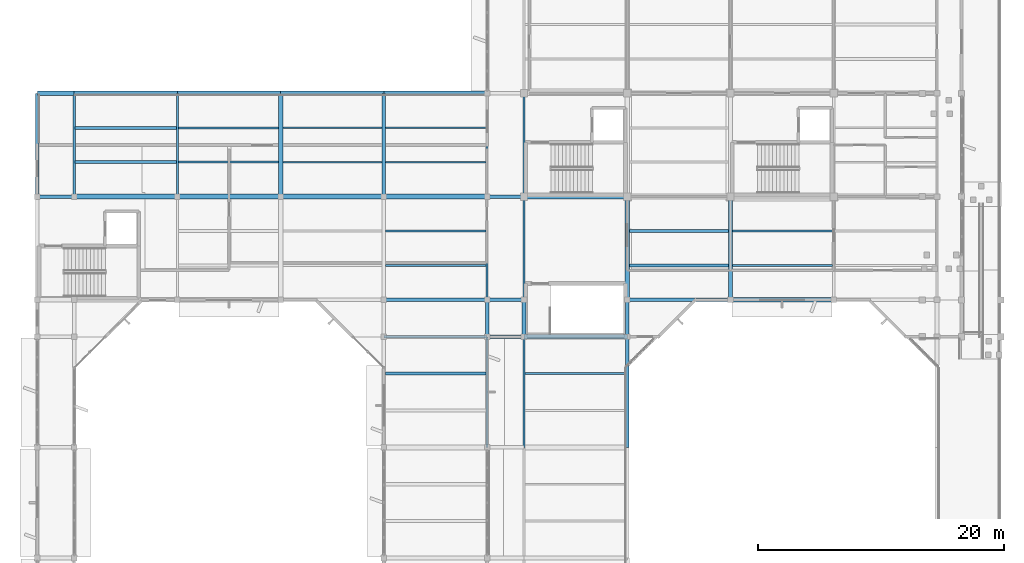
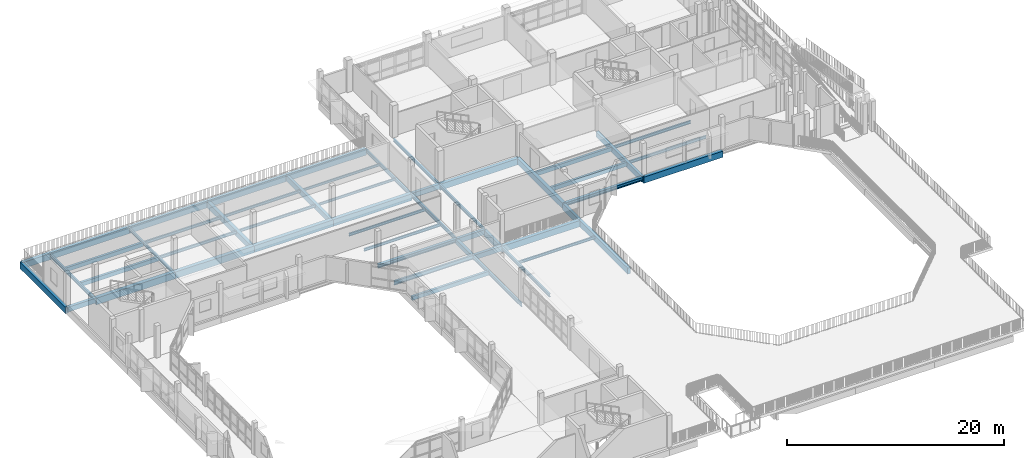
# One storey, part 11 of 42: 52 beams.
"""IFC4 building model written with IfcOpenShell, lengths in metres."""

from ifc_helpers import new_model, si_unit, direction, frame, origin, origin_2d, place, context, subcontext, project, spatial, rectangle, i_section, extrude, material, material_profile, profile_set, type_object, element, save


model = new_model("IFC4")

# Units and contexts
model_context = context("Model", 3, precision=1e-05, world=origin(), true_north=direction((0.0, 1.0)))
body_context = subcontext(model_context, "Body", "Model", "MODEL_VIEW")
ifc_project = project(units=[si_unit("LENGTHUNIT", "METRE"), si_unit("AREAUNIT", "SQUARE_METRE"), si_unit("VOLUMEUNIT", "CUBIC_METRE"), si_unit("PLANEANGLEUNIT", "RADIAN"), si_unit("MASSUNIT", "GRAM", prefix="KILO")], contexts=[model_context])

# Site, building, storey
site_placement = place(None, origin())
site = spatial("IfcSite", under=ifc_project, at=site_placement, CompositionType="ELEMENT")
building_placement = place(site_placement, origin())
building = spatial("IfcBuilding", under=site, at=building_placement, Name="Vanh Quang Courtyard School", CompositionType="ELEMENT")
storey_placement = place(building_placement, frame((0.0, 0.0, 15.0)))
storey = spatial("IfcBuildingStorey", under=building, at=storey_placement, Name="L04", CompositionType="ELEMENT", Elevation=15.0)

# Beams
ifc_material_1 = material(Name="Concrete C35/45", Category="concrete")
ifc_material_profile_1 = material_profile(ifc_material_1, rectangle(XDim=0.300048828125, YDim=0.550048828125, at=origin_2d()), Name="RC-BM 300x550")
ifc_profile_set_1 = profile_set([ifc_material_profile_1], Name="Concrete C35/45")
beam_type_1 = type_object("IfcBeamType", Name="BM-RC-300x550", PredefinedType="BEAM", material=ifc_profile_set_1)
for number, where, z_axis, x_axis, name in (
    (1, (74.39990234375, 68.39990234375, -0.594970703125), (1.0, 0.0, 0.0), (0.0, 1.0, 0.0), "Beam B-07 (L04)"),
    (2, (74.39990234375, 71.39990234375, -0.534912109375), (1.0, 0.0, 0.0), (0.0, 1.0, 0.0), "Beam B-07 (L04)"),
    (3, (37.800048828125, 79.800048828125, -0.534912109375), (1.0, 0.0, 0.0), (0.0, 1.0, 0.0), "Beam B-07 (L04)"),
    (4, (74.39990234375, 79.800048828125, -0.534912109375), (1.0, 0.0, 0.0), (0.0, 1.0, 0.0), "Beam B-07 (L04)"),
    (5, (74.39990234375, 68.39990234375, -0.594970703125), (0.0, 1.0, 0.0), (-1.0, 0.0, 0.0), "Beam B-07 (L04)"),
):
    element("IfcBeam", number, at=place(storey_placement, frame(where, z_axis=z_axis, x_axis=x_axis)), inside=storey, type_object=beam_type_1, Name=name, PredefinedType="BEAM", context=body_context, shape_type="SweptSolid", body=[
        extrude(rectangle(XDim=0.300048828125, YDim=0.550048828125, at=origin_2d()), origin(), (0.0, 0.0, 1.0), 3.0),
    ])
ifc_material_profile_2 = material_profile(ifc_material_1, rectangle(XDim=0.300048828125, YDim=0.60009765625, at=origin_2d()), Name="RC-BM 300x600")
ifc_profile_set_2 = profile_set([ifc_material_profile_2], Name="Concrete C35/45")
beam_type_2 = type_object("IfcBeamType", Name="BM-RC-300x600", PredefinedType="BEAM", material=ifc_profile_set_2)
beam_1_placement = place(storey_placement, frame((66.0, 79.800048828125, -0.6201171875), z_axis=(0.0, 1.0, 0.0), x_axis=(-1.0, 0.0, 0.0)))
element("IfcBeam", 6, at=beam_1_placement, inside=storey, type_object=beam_type_2, Name="Beam B-06 (L04)", PredefinedType="BEAM", context=body_context, shape_type="SweptSolid", body=[
    extrude(rectangle(XDim=0.300048828125, YDim=0.60009765625, at=origin_2d()), origin(), (0.0, 0.0, 1.0), 8.39990234375),
])
beam_2_placement = place(storey_placement, frame((94.199951171875, 71.39990234375, -0.56005859375), z_axis=(0.0, 1.0, 0.0), x_axis=(-1.0, 0.0, 0.0)))
element("IfcBeam", 7, at=beam_2_placement, inside=storey, type_object=beam_type_2, Name="Beam B-06 (L04)", PredefinedType="BEAM", context=body_context, shape_type="SweptSolid", body=[
    extrude(rectangle(XDim=0.300048828125, YDim=0.60009765625, at=origin_2d()), origin(), (0.0, 0.0, 1.0), 8.400146484375),
])
ifc_material_profile_3 = material_profile(ifc_material_1, rectangle(XDim=0.35009765625, YDim=0.64990234375, at=origin_2d()), Name="RC-BM 350x650")
ifc_profile_set_3 = profile_set([ifc_material_profile_3], Name="Concrete C35/45")
beam_type_3 = type_object("IfcBeamType", Name="BM-RC-350x650", PredefinedType="BEAM", material=ifc_profile_set_3)
beam_3_placement = place(storey_placement, frame((57.60009765625, 79.800048828125, -0.64501953125), z_axis=(0.0, 1.0, 0.0), x_axis=(-1.0, 0.0, 0.0)))
element("IfcBeam", 8, at=beam_3_placement, inside=storey, type_object=beam_type_3, Name="Beam B-05 (L04)", PredefinedType="BEAM", context=body_context, shape_type="SweptSolid", body=[
    extrude(rectangle(XDim=0.35009765625, YDim=0.64990234375, at=origin_2d()), origin(), (0.0, 0.0, 1.0), 8.39990234375),
])
beam_4_placement = place(storey_placement, frame((85.800048828125, 71.39990234375, -0.5849609375), z_axis=(0.0, 1.0, 0.0), x_axis=(-1.0, 0.0, 0.0)))
element("IfcBeam", 9, at=beam_4_placement, inside=storey, type_object=beam_type_3, Name="Beam B-05 (L04)", PredefinedType="BEAM", context=body_context, shape_type="SweptSolid", body=[
    extrude(rectangle(XDim=0.35009765625, YDim=0.64990234375, at=origin_2d()), origin(), (0.0, 0.0, 1.0), 8.400146484375),
])
ifc_material_profile_4 = material_profile(ifc_material_1, rectangle(XDim=0.35009765625, YDim=0.699951171875, at=origin_2d()), Name="RC-BM 350x700")
ifc_profile_set_4 = profile_set([ifc_material_profile_4], Name="Concrete C35/45")
beam_type_4 = type_object("IfcBeamType", Name="BM-RC-350x700", PredefinedType="BEAM", material=ifc_profile_set_4)
for number, where, z_axis, x_axis, name in (
    (10, (77.39990234375, 68.39990234375, -0.669921875), (1.0, 0.0, 0.0), (0.0, 1.0, 0.0), "Beam B-04 (L04)"),
    (11, (94.199951171875, 71.39990234375, -0.610107421875), (1.0, 0.0, 0.0), (0.0, 1.0, 0.0), "Beam B-04 (L04)"),
    (12, (77.39990234375, 79.800048828125, -0.610107421875), (1.0, 0.0, 0.0), (0.0, 1.0, 0.0), "Beam B-04 (L04)"),
):
    element("IfcBeam", number, at=place(storey_placement, frame(where, z_axis=z_axis, x_axis=x_axis)), inside=storey, type_object=beam_type_4, Name=name, PredefinedType="BEAM", context=body_context, shape_type="SweptSolid", body=[
        extrude(rectangle(XDim=0.35009765625, YDim=0.699951171875, at=origin_2d()), origin(), (0.0, 0.0, 1.0), 8.400146484375),
    ])
beam_5_placement = place(storey_placement, frame((37.800048828125, 88.199951171875, -0.669921875), z_axis=(1.0, 0.0, 0.0), x_axis=(0.0, 1.0, 0.0)))
element("IfcBeam", 13, at=beam_5_placement, inside=storey, type_object=beam_type_4, Name="Beam B-04 (L04)", PredefinedType="BEAM", context=body_context, shape_type="SweptSolid", body=[
    extrude(rectangle(XDim=0.35009765625, YDim=0.699951171875, at=origin_2d()), origin(), (0.0, 0.0, 1.0), 3.0),
])
beam_6_placement = place(storey_placement, frame((40.800048828125, 88.199951171875, -0.669921875), z_axis=(1.0, 0.0, 0.0), x_axis=(0.0, 1.0, 0.0)))
element("IfcBeam", 14, at=beam_6_placement, inside=storey, type_object=beam_type_4, Name="Beam B-04 (L04)", PredefinedType="BEAM", context=body_context, shape_type="SweptSolid", body=[
    extrude(rectangle(XDim=0.35009765625, YDim=0.699951171875, at=origin_2d()), origin(), (0.0, 0.0, 1.0), 8.39990234375),
])
beam_7_placement = place(storey_placement, frame((49.199951171875, 88.199951171875, -0.669921875), z_axis=(1.0, 0.0, 0.0), x_axis=(0.0, 1.0, 0.0)))
element("IfcBeam", 15, at=beam_7_placement, inside=storey, type_object=beam_type_4, Name="Beam B-04 (L04)", PredefinedType="BEAM", context=body_context, shape_type="SweptSolid", body=[
    extrude(rectangle(XDim=0.35009765625, YDim=0.699951171875, at=origin_2d()), origin(), (0.0, 0.0, 1.0), 8.400146484375),
])
for number, where, z_axis, x_axis, name in (
    (16, (57.60009765625, 88.199951171875, -0.669921875), (1.0, 0.0, 0.0), (0.0, 1.0, 0.0), "Beam B-04 (L04)"),
    (17, (66.0, 88.199951171875, -0.669921875), (1.0, 0.0, 0.0), (0.0, 1.0, 0.0), "Beam B-04 (L04)"),
):
    element("IfcBeam", number, at=place(storey_placement, frame(where, z_axis=z_axis, x_axis=x_axis)), inside=storey, type_object=beam_type_4, Name=name, PredefinedType="BEAM", context=body_context, shape_type="SweptSolid", body=[
        extrude(rectangle(XDim=0.35009765625, YDim=0.699951171875, at=origin_2d()), origin(), (0.0, 0.0, 1.0), 8.39990234375),
    ])
ifc_material_profile_5 = material_profile(ifc_material_1, rectangle(XDim=0.39990234375, YDim=0.75, at=origin_2d()), Name="RC-BM 400x750")
ifc_profile_set_5 = profile_set([ifc_material_profile_5], Name="Concrete C35/45")
beam_type_5 = type_object("IfcBeamType", Name="BM-RC-400x750", PredefinedType="BEAM", material=ifc_profile_set_5)
beam_8_placement = place(storey_placement, frame((40.800048828125, 79.800048828125, -0.635009765625), z_axis=(1.0, 0.0, 0.0), x_axis=(0.0, 1.0, 0.0)))
element("IfcBeam", 18, at=beam_8_placement, inside=storey, type_object=beam_type_5, Name="Beam B-03 (L04)", PredefinedType="BEAM", context=body_context, shape_type="SweptSolid", body=[
    extrude(rectangle(XDim=0.39990234375, YDim=0.75, at=origin_2d()), origin(), (0.0, 0.0, 1.0), 8.39990234375),
])
beam_9_placement = place(storey_placement, frame((49.199951171875, 79.800048828125, -0.635009765625), z_axis=(1.0, 0.0, 0.0), x_axis=(0.0, 1.0, 0.0)))
element("IfcBeam", 19, at=beam_9_placement, inside=storey, type_object=beam_type_5, Name="Beam B-03 (L04)", PredefinedType="BEAM", context=body_context, shape_type="SweptSolid", body=[
    extrude(rectangle(XDim=0.39990234375, YDim=0.75, at=origin_2d()), origin(), (0.0, 0.0, 1.0), 8.400146484375),
])
for number, where, z_axis, x_axis, name in (
    (20, (57.60009765625, 79.800048828125, -0.635009765625), (1.0, 0.0, 0.0), (0.0, 1.0, 0.0), "Beam B-03 (L04)"),
    (21, (66.0, 79.800048828125, -0.635009765625), (1.0, 0.0, 0.0), (0.0, 1.0, 0.0), "Beam B-03 (L04)"),
):
    element("IfcBeam", number, at=place(storey_placement, frame(where, z_axis=z_axis, x_axis=x_axis)), inside=storey, type_object=beam_type_5, Name=name, PredefinedType="BEAM", context=body_context, shape_type="SweptSolid", body=[
        extrude(rectangle(XDim=0.39990234375, YDim=0.75, at=origin_2d()), origin(), (0.0, 0.0, 1.0), 8.39990234375),
    ])
ifc_material_profile_6 = material_profile(ifc_material_1, rectangle(XDim=0.300048828125, YDim=0.699951171875, at=origin_2d()), Name="RC-SP 300x700")
ifc_profile_set_6 = profile_set([ifc_material_profile_6], Name="Concrete C35/45")
beam_type_6 = type_object("IfcBeamType", Name="BM-SP-300x700", PredefinedType="SPANDREL", material=ifc_profile_set_6)
beam_10_placement = place(storey_placement, frame((37.800048828125, 79.800048828125, -0.669921875), z_axis=(0.0, 1.0, 0.0), x_axis=(-1.0, 0.0, 0.0)))
element("IfcBeam", 22, at=beam_10_placement, inside=storey, type_object=beam_type_6, Name="Beam BS-01 (L04)", PredefinedType="SPANDREL", context=body_context, shape_type="SweptSolid", body=[
    extrude(rectangle(XDim=0.300048828125, YDim=0.699951171875, at=origin_2d()), origin(), (0.0, 0.0, 1.0), 8.39990234375),
])
beam_11_placement = place(storey_placement, frame((77.39990234375, 68.39990234375, -0.669921875), z_axis=(0.0, 1.0, 0.0), x_axis=(-1.0, 0.0, 0.0)))
element("IfcBeam", 23, at=beam_11_placement, inside=storey, type_object=beam_type_6, Name="Beam BS-01 (L04)", PredefinedType="SPANDREL", context=body_context, shape_type="SweptSolid", body=[
    extrude(rectangle(XDim=0.300048828125, YDim=0.699951171875, at=origin_2d()), origin(), (0.0, 0.0, 1.0), 3.0),
])
beam_12_placement = place(storey_placement, frame((85.800048828125, 59.39990234375, -0.669921875), z_axis=(0.0, 1.0, 0.0), x_axis=(-1.0, 0.0, 0.0)))
element("IfcBeam", 24, at=beam_12_placement, inside=storey, type_object=beam_type_6, Name="Beam BS-01 (L04)", PredefinedType="SPANDREL", context=body_context, shape_type="SweptSolid", body=[
    extrude(rectangle(XDim=0.300048828125, YDim=0.699951171875, at=origin_2d()), origin(), (0.0, 0.0, 1.0), 9.0),
])
beam_13_placement = place(storey_placement, frame((85.800048828125, 68.39990234375, -0.669921875), z_axis=(0.0, 1.0, 0.0), x_axis=(-1.0, 0.0, 0.0)))
element("IfcBeam", 25, at=beam_13_placement, inside=storey, type_object=beam_type_6, Name="Beam BS-01 (L04)", PredefinedType="SPANDREL", context=body_context, shape_type="SweptSolid", body=[
    extrude(rectangle(XDim=0.300048828125, YDim=0.699951171875, at=origin_2d()), origin(), (0.0, 0.0, 1.0), 3.0),
])
ifc_material_2 = material(Name="Structural steel EN 10025-2 S355J2", Category="steel")
ifc_material_profile_7 = material_profile(ifc_material_2, i_section(OverallWidth=0.300048828125, OverallDepth=0.389892578125, WebThickness=0.010986328125, FlangeThickness=0.01904296875, FilletRadius=0.027099609375, at=origin_2d()), Name="HEA 400")
ifc_profile_set_7 = profile_set([ifc_material_profile_7], Name="Structural steel EN 10025-2 S355J2")
beam_type_7 = type_object("IfcBeamType", Name="BM-STL-HEA400", PredefinedType="BEAM", material=ifc_profile_set_7)
for number, where, z_axis, x_axis, name in (
    (26, (66.0, 71.39990234375, -0.455078125), (1.0, 0.0, 0.0), (0.0, 1.0, 0.0), "Beam SB-08 (L04)"),
    (27, (85.800048828125, 71.39990234375, -0.455078125), (1.0, 0.0, 0.0), (0.0, 1.0, 0.0), "Beam SB-08 (L04)"),
):
    element("IfcBeam", number, at=place(storey_placement, frame(where, z_axis=z_axis, x_axis=x_axis)), inside=storey, type_object=beam_type_7, Name=name, PredefinedType="BEAM", context=body_context, shape_type="SweptSolid", body=[
        extrude(i_section(OverallWidth=0.300048828125, OverallDepth=0.389892578125, WebThickness=0.010986328125, FlangeThickness=0.01904296875, FilletRadius=0.027099609375, at=origin_2d()), origin(), (0.0, 0.0, 1.0), 8.39990234375),
    ])
ifc_material_profile_8 = material_profile(ifc_material_2, i_section(OverallWidth=0.169921875, OverallDepth=0.360107421875, WebThickness=0.008056640625, FlangeThickness=0.0126953125, FilletRadius=0.01806640625, at=origin_2d()), Name="IPE 360")
ifc_profile_set_8 = profile_set([ifc_material_profile_8], Name="Structural steel EN 10025-2 S355J2")
beam_type_8 = type_object("IfcBeamType", Name="BM-STL-IPE360", PredefinedType="BEAM", material=ifc_profile_set_8)
beam_14_placement = place(storey_placement, frame((49.199951171875, 79.800048828125, -0.5), z_axis=(0.0, 1.0, 0.0), x_axis=(-1.0, 0.0, 0.0)))
element("IfcBeam", 28, at=beam_14_placement, inside=storey, type_object=beam_type_8, Name="Beam SB-06 (L04)", PredefinedType="BEAM", context=body_context, shape_type="SweptSolid", body=[
    extrude(i_section(OverallWidth=0.169921875, OverallDepth=0.360107421875, WebThickness=0.008056640625, FlangeThickness=0.0126953125, FilletRadius=0.01806640625, at=origin_2d()), origin(), (0.0, 0.0, 1.0), 8.39990234375),
])
beam_15_placement = place(storey_placement, frame((77.39990234375, 59.39990234375, -0.5), z_axis=(0.0, 1.0, 0.0), x_axis=(-1.0, 0.0, 0.0)))
element("IfcBeam", 29, at=beam_15_placement, inside=storey, type_object=beam_type_8, Name="Beam SB-06 (L04)", PredefinedType="BEAM", context=body_context, shape_type="SweptSolid", body=[
    extrude(i_section(OverallWidth=0.169921875, OverallDepth=0.360107421875, WebThickness=0.008056640625, FlangeThickness=0.0126953125, FilletRadius=0.01806640625, at=origin_2d()), origin(), (0.0, 0.0, 1.0), 9.0),
])
beam_16_placement = place(storey_placement, frame((77.39990234375, 71.39990234375, -0.43994140625), z_axis=(0.0, 1.0, 0.0), x_axis=(-1.0, 0.0, 0.0)))
element("IfcBeam", 30, at=beam_16_placement, inside=storey, type_object=beam_type_8, Name="Beam SB-06 (L04)", PredefinedType="BEAM", context=body_context, shape_type="SweptSolid", body=[
    extrude(i_section(OverallWidth=0.169921875, OverallDepth=0.360107421875, WebThickness=0.008056640625, FlangeThickness=0.0126953125, FilletRadius=0.01806640625, at=origin_2d()), origin(), (0.0, 0.0, 1.0), 8.400146484375),
])
beam_17_placement = place(storey_placement, frame((77.39990234375, 79.800048828125, -0.43994140625), z_axis=(0.0, 1.0, 0.0), x_axis=(-1.0, 0.0, 0.0)))
element("IfcBeam", 31, at=beam_17_placement, inside=storey, type_object=beam_type_8, Name="Beam SB-06 (L04)", PredefinedType="BEAM", context=body_context, shape_type="SweptSolid", body=[
    extrude(i_section(OverallWidth=0.169921875, OverallDepth=0.360107421875, WebThickness=0.008056640625, FlangeThickness=0.0126953125, FilletRadius=0.01806640625, at=origin_2d()), origin(), (0.0, 0.0, 1.0), 8.39990234375),
])
ifc_material_profile_9 = material_profile(ifc_material_2, i_section(OverallWidth=0.179931640625, OverallDepth=0.39990234375, WebThickness=0.008544921875, FlangeThickness=0.013427734375, FilletRadius=0.02099609375, at=origin_2d()), Name="IPE 400")
ifc_profile_set_9 = profile_set([ifc_material_profile_9], Name="Structural steel EN 10025-2 S355J2")
beam_type_9 = type_object("IfcBeamType", Name="BM-STL-IPE400", PredefinedType="BEAM", material=ifc_profile_set_9)
beam_18_placement = place(storey_placement, frame((40.800048828125, 79.800048828125, -0.52001953125), z_axis=(0.0, 1.0, 0.0), x_axis=(-1.0, 0.0, 0.0)))
element("IfcBeam", 32, at=beam_18_placement, inside=storey, type_object=beam_type_9, Name="Beam SB-05 (L04)", PredefinedType="BEAM", context=body_context, shape_type="SweptSolid", body=[
    extrude(i_section(OverallWidth=0.179931640625, OverallDepth=0.39990234375, WebThickness=0.008544921875, FlangeThickness=0.013427734375, FilletRadius=0.02099609375, at=origin_2d()), origin(), (0.0, 0.0, 1.0), 8.39990234375),
])
beam_19_placement = place(storey_placement, frame((74.39990234375, 59.39990234375, -0.52001953125), z_axis=(0.0, 1.0, 0.0), x_axis=(-1.0, 0.0, 0.0)))
element("IfcBeam", 33, at=beam_19_placement, inside=storey, type_object=beam_type_9, Name="Beam SB-05 (L04)", PredefinedType="BEAM", context=body_context, shape_type="SweptSolid", body=[
    extrude(i_section(OverallWidth=0.179931640625, OverallDepth=0.39990234375, WebThickness=0.008544921875, FlangeThickness=0.013427734375, FilletRadius=0.02099609375, at=origin_2d()), origin(), (0.0, 0.0, 1.0), 9.0),
])
beam_20_placement = place(storey_placement, frame((74.39990234375, 71.39990234375, -0.4599609375), z_axis=(0.0, 1.0, 0.0), x_axis=(-1.0, 0.0, 0.0)))
element("IfcBeam", 34, at=beam_20_placement, inside=storey, type_object=beam_type_9, Name="Beam SB-05 (L04)", PredefinedType="BEAM", context=body_context, shape_type="SweptSolid", body=[
    extrude(i_section(OverallWidth=0.179931640625, OverallDepth=0.39990234375, WebThickness=0.008544921875, FlangeThickness=0.013427734375, FilletRadius=0.02099609375, at=origin_2d()), origin(), (0.0, 0.0, 1.0), 8.400146484375),
])
beam_21_placement = place(storey_placement, frame((74.39990234375, 79.800048828125, -0.52001953125), z_axis=(0.0, 1.0, 0.0), x_axis=(-1.0, 0.0, 0.0)))
element("IfcBeam", 35, at=beam_21_placement, inside=storey, type_object=beam_type_9, Name="Beam SB-05 (L04)", PredefinedType="BEAM", context=body_context, shape_type="SweptSolid", body=[
    extrude(i_section(OverallWidth=0.179931640625, OverallDepth=0.39990234375, WebThickness=0.008544921875, FlangeThickness=0.013427734375, FilletRadius=0.02099609375, at=origin_2d()), origin(), (0.0, 0.0, 1.0), 8.39990234375),
])
ifc_material_profile_10 = material_profile(ifc_material_2, i_section(OverallWidth=0.18994140625, OverallDepth=0.449951171875, WebThickness=0.009521484375, FlangeThickness=0.0146484375, FilletRadius=0.02099609375, at=origin_2d()), Name="IPE 450")
ifc_profile_set_10 = profile_set([ifc_material_profile_10], Name="Structural steel EN 10025-2 S355J2")
beam_type_10 = type_object("IfcBeamType", Name="BM-STL-IPE450", PredefinedType="BEAM", material=ifc_profile_set_10)
beam_22_placement = place(storey_placement, frame((66.0, 68.39990234375, -0.544921875), z_axis=(1.0, 0.0, 0.0), x_axis=(0.0, 1.0, 0.0)))
element("IfcBeam", 36, at=beam_22_placement, inside=storey, type_object=beam_type_10, Name="Beam SB-04 (L04)", PredefinedType="BEAM", context=body_context, shape_type="SweptSolid", body=[
    extrude(i_section(OverallWidth=0.18994140625, OverallDepth=0.449951171875, WebThickness=0.009521484375, FlangeThickness=0.0146484375, FilletRadius=0.02099609375, at=origin_2d()), origin(), (0.0, 0.0, 1.0), 8.39990234375),
])
ifc_material_3 = material(Name="Concrete C30/37", Category="concrete")
ifc_material_profile_11 = material_profile(ifc_material_3, rectangle(XDim=0.25, YDim=0.449951171875, at=origin_2d()), Name="RC-JST 250x450")
ifc_profile_set_11 = profile_set([ifc_material_profile_11], Name="Concrete C30/37")
beam_type_11 = type_object("IfcBeamType", Name="JST-RC-250x450", PredefinedType="JOIST", material=ifc_profile_set_11)
for number, where, z_axis, x_axis, name in (
    (37, (40.889892578125, 82.60009765625, -0.485107421875), (1.0, 0.0, 0.0), (0.0, 1.0, 0.0), "Beam BJ-02 (L04)"),
    (38, (40.889892578125, 85.39990234375, -0.544921875), (1.0, 0.0, 0.0), (0.0, 1.0, 0.0), "Beam BJ-02 (L04)"),
):
    element("IfcBeam", number, at=place(storey_placement, frame(where, z_axis=z_axis, x_axis=x_axis)), inside=storey, type_object=beam_type_11, Name=name, PredefinedType="JOIST", context=body_context, shape_type="SweptSolid", body=[
        extrude(rectangle(XDim=0.25, YDim=0.449951171875, at=origin_2d()), origin(), (0.0, 0.0, 1.0), 8.22509765625),
    ])
beam_23_placement = place(storey_placement, frame((66.14990234375, 65.39990234375, -0.485107421875), z_axis=(1.0, 0.0, 0.0), x_axis=(0.0, 1.0, 0.0)))
element("IfcBeam", 39, at=beam_23_placement, inside=storey, type_object=beam_type_11, Name="Beam BJ-02 (L04)", PredefinedType="JOIST", context=body_context, shape_type="SweptSolid", body=[
    extrude(rectangle(XDim=0.25, YDim=0.449951171875, at=origin_2d()), origin(), (0.0, 0.0, 1.0), 8.16015625),
])
for number, where, z_axis, x_axis, name in (
    (40, (85.97509765625, 74.199951171875, -0.485107421875), (1.0, 0.0, 0.0), (0.0, 1.0, 0.0), "Beam BJ-02 (L04)"),
    (41, (85.97509765625, 77.0, -0.485107421875), (1.0, 0.0, 0.0), (0.0, 1.0, 0.0), "Beam BJ-02 (L04)"),
):
    element("IfcBeam", number, at=place(storey_placement, frame(where, z_axis=z_axis, x_axis=x_axis)), inside=storey, type_object=beam_type_11, Name=name, PredefinedType="JOIST", context=body_context, shape_type="SweptSolid", body=[
        extrude(rectangle(XDim=0.25, YDim=0.449951171875, at=origin_2d()), origin(), (0.0, 0.0, 1.0), 8.074951171875),
    ])
ifc_material_profile_12 = material_profile(ifc_material_2, i_section(OverallWidth=0.135009765625, OverallDepth=0.27001953125, WebThickness=0.006591796875, FlangeThickness=0.01025390625, FilletRadius=0.014892578125, at=origin_2d()), Name="IPE 270")
ifc_profile_set_12 = profile_set([ifc_material_profile_12], Name="Structural steel EN 10025-2 S355J2")
beam_type_12 = type_object("IfcBeamType", Name="JST-STL-IPE270", PredefinedType="JOIST", material=ifc_profile_set_12)
for number, where, z_axis, x_axis, name in (
    (42, (66.14990234375, 82.60009765625, -0.39501953125), (1.0, 0.0, 0.0), (0.0, 1.0, 0.0), "Beam SJ-03 (L04)"),
    (43, (66.14990234375, 85.39990234375, -0.455078125), (1.0, 0.0, 0.0), (0.0, 1.0, 0.0), "Beam SJ-03 (L04)"),
):
    element("IfcBeam", number, at=place(storey_placement, frame(where, z_axis=z_axis, x_axis=x_axis)), inside=storey, type_object=beam_type_12, Name=name, PredefinedType="JOIST", context=body_context, shape_type="SweptSolid", body=[
        extrude(i_section(OverallWidth=0.135009765625, OverallDepth=0.27001953125, WebThickness=0.006591796875, FlangeThickness=0.01025390625, FilletRadius=0.014892578125, at=origin_2d()), origin(), (0.0, 0.0, 1.0), 8.16015625),
    ])
ifc_material_profile_13 = material_profile(ifc_material_2, i_section(OverallWidth=0.14990234375, OverallDepth=0.300048828125, WebThickness=0.007080078125, FlangeThickness=0.0107421875, FilletRadius=0.014892578125, at=origin_2d()), Name="IPE 300")
ifc_profile_set_13 = profile_set([ifc_material_profile_13], Name="Structural steel EN 10025-2 S355J2")
beam_type_13 = type_object("IfcBeamType", Name="JST-STL-IPE300", PredefinedType="JOIST", material=ifc_profile_set_13)
for number, where, z_axis, x_axis, name in (
    (44, (57.77490234375, 82.60009765625, -0.409912109375), (1.0, 0.0, 0.0), (0.0, 1.0, 0.0), "Beam SJ-02 (L04)"),
    (45, (57.77490234375, 85.39990234375, -0.469970703125), (1.0, 0.0, 0.0), (0.0, 1.0, 0.0), "Beam SJ-02 (L04)"),
):
    element("IfcBeam", number, at=place(storey_placement, frame(where, z_axis=z_axis, x_axis=x_axis)), inside=storey, type_object=beam_type_13, Name=name, PredefinedType="JOIST", context=body_context, shape_type="SweptSolid", body=[
        extrude(i_section(OverallWidth=0.14990234375, OverallDepth=0.300048828125, WebThickness=0.007080078125, FlangeThickness=0.0107421875, FilletRadius=0.014892578125, at=origin_2d()), origin(), (0.0, 0.0, 1.0), 8.0751953125),
    ])
for number, where, z_axis, x_axis, name in (
    (46, (66.14990234375, 74.199951171875, -0.409912109375), (1.0, 0.0, 0.0), (0.0, 1.0, 0.0), "Beam SJ-02 (L04)"),
    (47, (66.14990234375, 77.0, -0.409912109375), (1.0, 0.0, 0.0), (0.0, 1.0, 0.0), "Beam SJ-02 (L04)"),
):
    element("IfcBeam", number, at=place(storey_placement, frame(where, z_axis=z_axis, x_axis=x_axis)), inside=storey, type_object=beam_type_13, Name=name, PredefinedType="JOIST", context=body_context, shape_type="SweptSolid", body=[
        extrude(i_section(OverallWidth=0.14990234375, OverallDepth=0.300048828125, WebThickness=0.007080078125, FlangeThickness=0.0107421875, FilletRadius=0.014892578125, at=origin_2d()), origin(), (0.0, 0.0, 1.0), 8.16015625),
    ])
beam_24_placement = place(storey_placement, frame((77.485107421875, 65.39990234375, -0.469970703125), z_axis=(1.0, 0.0, 0.0), x_axis=(0.0, 1.0, 0.0)))
element("IfcBeam", 48, at=beam_24_placement, inside=storey, type_object=beam_type_13, Name="Beam SJ-02 (L04)", PredefinedType="JOIST", context=body_context, shape_type="SweptSolid", body=[
    extrude(i_section(OverallWidth=0.14990234375, OverallDepth=0.300048828125, WebThickness=0.007080078125, FlangeThickness=0.0107421875, FilletRadius=0.014892578125, at=origin_2d()), origin(), (0.0, 0.0, 1.0), 8.164794921875),
])
ifc_material_profile_14 = material_profile(ifc_material_2, i_section(OverallWidth=0.159912109375, OverallDepth=0.330078125, WebThickness=0.007568359375, FlangeThickness=0.011474609375, FilletRadius=0.01806640625, at=origin_2d()), Name="IPE 330")
ifc_profile_set_14 = profile_set([ifc_material_profile_14], Name="Structural steel EN 10025-2 S355J2")
beam_type_14 = type_object("IfcBeamType", Name="JST-STL-IPE330", PredefinedType="JOIST", material=ifc_profile_set_14)
for number, where, z_axis, x_axis, name in (
    (49, (49.284912109375, 82.60009765625, -0.425048828125), (1.0, 0.0, 0.0), (0.0, 1.0, 0.0), "Beam SJ-01 (L04)"),
    (50, (49.284912109375, 85.39990234375, -0.485107421875), (1.0, 0.0, 0.0), (0.0, 1.0, 0.0), "Beam SJ-01 (L04)"),
):
    element("IfcBeam", number, at=place(storey_placement, frame(where, z_axis=z_axis, x_axis=x_axis)), inside=storey, type_object=beam_type_14, Name=name, PredefinedType="JOIST", context=body_context, shape_type="SweptSolid", body=[
        extrude(i_section(OverallWidth=0.159912109375, OverallDepth=0.330078125, WebThickness=0.007568359375, FlangeThickness=0.011474609375, FilletRadius=0.01806640625, at=origin_2d()), origin(), (0.0, 0.0, 1.0), 8.14013671875),
    ])
for number, where, z_axis, x_axis, name in (
    (51, (94.35009765625, 74.199951171875, -0.425048828125), (1.0, 0.0, 0.0), (0.0, 1.0, 0.0), "Beam SJ-01 (L04)"),
    (52, (94.35009765625, 77.0, -0.425048828125), (1.0, 0.0, 0.0), (0.0, 1.0, 0.0), "Beam SJ-01 (L04)"),
):
    element("IfcBeam", number, at=place(storey_placement, frame(where, z_axis=z_axis, x_axis=x_axis)), inside=storey, type_object=beam_type_14, Name=name, PredefinedType="JOIST", context=body_context, shape_type="SweptSolid", body=[
        extrude(i_section(OverallWidth=0.159912109375, OverallDepth=0.330078125, WebThickness=0.007568359375, FlangeThickness=0.011474609375, FilletRadius=0.01806640625, at=origin_2d()), origin(), (0.0, 0.0, 1.0), 8.159912109375),
    ])

save(model, "model.ifc")
